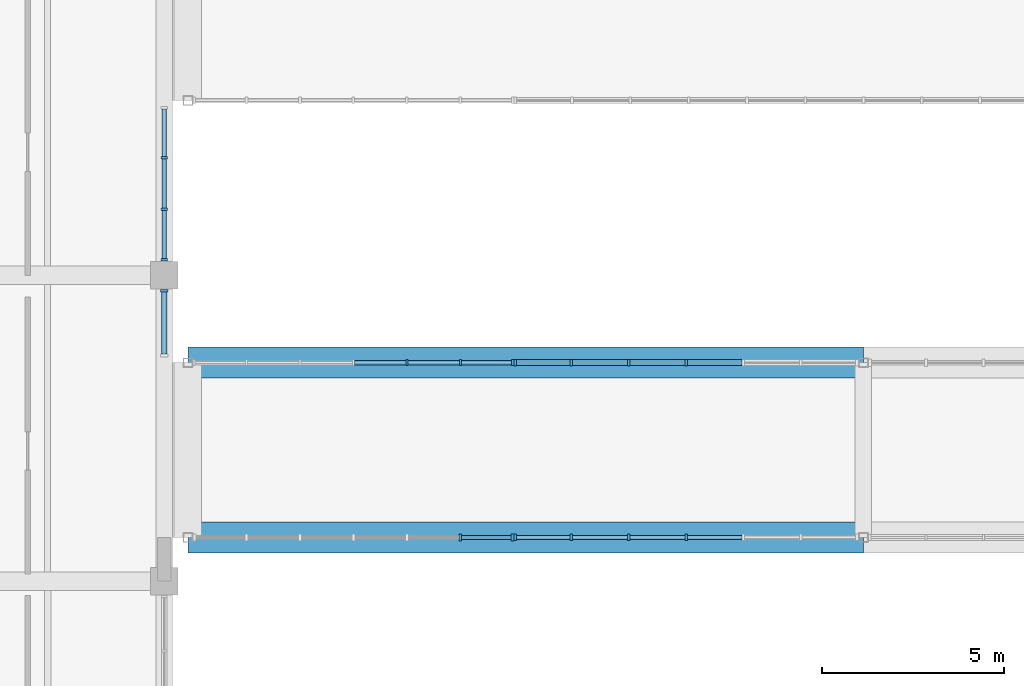
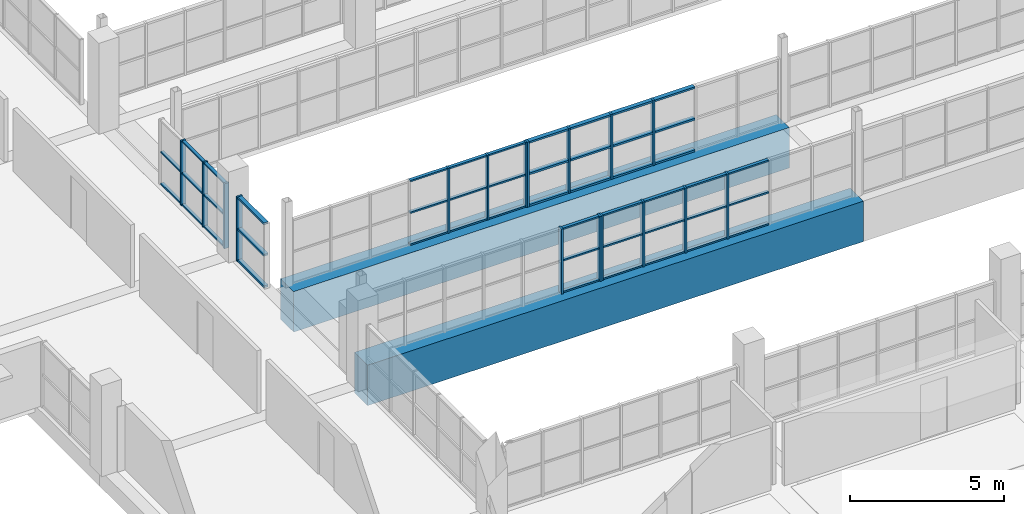
# One storey, part 58 of 147: 64 members, 2 beams, 6 elements without a shape of their own.
"""IFC4 building model written with IfcOpenShell, lengths in metres."""

from ifc_helpers import new_model, si_unit, direction, frame, origin, origin_2d, place, context, subcontext, project, spatial, rectangle, extrude, material, material_profile, profile_set, type_object, element, aggregate, save


model = new_model("IFC4")

# Units and contexts
model_context = context("Model", 3, precision=1e-05, world=origin(), true_north=direction((0.0, 1.0)))
body_context = subcontext(model_context, "Body", "Model", "MODEL_VIEW")
ifc_project = project(units=[si_unit("LENGTHUNIT", "METRE"), si_unit("AREAUNIT", "SQUARE_METRE"), si_unit("VOLUMEUNIT", "CUBIC_METRE"), si_unit("PLANEANGLEUNIT", "RADIAN"), si_unit("MASSUNIT", "GRAM", prefix="KILO")], contexts=[model_context])

# Site, building, storey
site_placement = place(None, origin())
site = spatial("IfcSite", under=ifc_project, at=site_placement, CompositionType="ELEMENT")
building_placement = place(site_placement, origin())
building = spatial("IfcBuilding", under=site, at=building_placement, Name="Oolite Switchyard Hospital", CompositionType="ELEMENT")
storey_placement = place(building_placement, frame((0.0, 0.0, 9.89990234375)))
storey = spatial("IfcBuildingStorey", under=building, at=storey_placement, Name="L02", CompositionType="ELEMENT", Elevation=9.89990234375)

# Beams
ifc_material_1 = material(Name="Concrete C40/50", Category="concrete")
ifc_material_profile_1 = material_profile(ifc_material_1, rectangle(XDim=0.85009765625, YDim=1.60009765625, at=origin_2d()), Name="RCT850X1600")
ifc_profile_set_1 = profile_set([ifc_material_profile_1], Name="Concrete C40/50")
beam_type = type_object("IfcBeamType", Name="BM-TR850X1600", PredefinedType="BEAM", material=ifc_profile_set_1)
for number, where, z_axis, x_axis, name in (
    (1, (144.64990234375, 34.800048828125, -0.7998046875), (1.0, 0.0, 0.0), (0.0, 1.0, 0.0), "L02 X-Girder 1046"),
    (2, (144.64990234375, 39.60009765625, -0.7998046875), (1.0, 0.0, 0.0), (0.0, 1.0, 0.0), "L02 X-Girder 1048"),
):
    element("IfcBeam", number, at=place(storey_placement, frame(where, z_axis=z_axis, x_axis=x_axis)), inside=storey, type_object=beam_type, Name=name, PredefinedType="BEAM", context=body_context, shape_type="SweptSolid", body=[
        extrude(rectangle(XDim=0.85009765625, YDim=1.60009765625, at=origin_2d()), origin(), (0.0, 0.0, 1.0), 18.550048828125),
    ])

# Curtain wall, members
ifc_material_2 = material(Name="Thermally broken aluminum frame with laminated impact glazing", Category="aluminium")
curtain_wall_type = type_object("IfcCurtainWallType", Name="CW-BRG-96X38", PredefinedType="USERDEFINED", material=ifc_material_2)
curtain_wall_1_placement = place(storey_placement, origin())
curtain_wall_1 = element("IfcCurtainWall", 3, at=curtain_wall_1_placement, inside=storey, type_object=curtain_wall_type, Name="L02 Unitised Curtain Wall 232", ObjectType="UNITISED", PredefinedType="USERDEFINED")
ifc_material_3 = material(Name="Aluminium 6063-T6", Category="aluminium")
ifc_material_profile_2 = material_profile(ifc_material_3, rectangle(XDim=0.159912109375, YDim=0.06005859375, at=origin_2d()), Name="CWM60X160")
ifc_profile_set_2 = profile_set([ifc_material_profile_2], Name="Aluminium 6063-T6")
member_type_1 = type_object("IfcMemberType", Name="CW-MUL-180", PredefinedType="MULLION", material=ifc_profile_set_2)
member_1_placement = place(storey_placement, frame((150.6640625, 39.60009765625, 0.0), z_axis=(0.0, 0.0, 1.0), x_axis=(0.0, 1.0, 0.0)))
member_1 = element("IfcMember", 4, at=member_1_placement, type_object=member_type_1, Name="CW-12 mullion 5", PredefinedType="MULLION", context=body_context, shape_type="SweptSolid", body=[
    extrude(rectangle(XDim=0.159912109375, YDim=0.06005859375, at=origin_2d()), origin(), (0.0, 0.0, 1.0), 2.570068359375),
])
member_2_placement = place(storey_placement, frame((152.132080078125, 39.60009765625, 0.0), z_axis=(0.0, 0.0, 1.0), x_axis=(0.0, 1.0, 0.0)))
member_2 = element("IfcMember", 5, at=member_2_placement, type_object=member_type_1, Name="CW-12 mullion 6", PredefinedType="MULLION", context=body_context, shape_type="SweptSolid", body=[
    extrude(rectangle(XDim=0.159912109375, YDim=0.06005859375, at=origin_2d()), origin(), (0.0, 0.0, 1.0), 2.570068359375),
])
member_3_placement = place(storey_placement, frame((153.570068359375, 39.60009765625, 0.0), z_axis=(0.0, 0.0, 1.0), x_axis=(0.0, 1.0, 0.0)))
member_3 = element("IfcMember", 6, at=member_3_placement, type_object=member_type_1, Name="CW-12 mullion 7", PredefinedType="MULLION", context=body_context, shape_type="SweptSolid", body=[
    extrude(rectangle(XDim=0.159912109375, YDim=0.06005859375, at=origin_2d()), origin(), (0.0, 0.0, 1.0), 2.570068359375),
])

curtain_wall_2_placement = place(storey_placement, origin())
curtain_wall_2 = element("IfcCurtainWall", 7, at=curtain_wall_2_placement, inside=storey, type_object=curtain_wall_type, Name="L02 Unitised Curtain Wall 230", ObjectType="UNITISED", PredefinedType="USERDEFINED")
ifc_material_profile_3 = material_profile(ifc_material_3, rectangle(XDim=0.179931640625, YDim=0.070068359375, at=origin_2d()), Name="CWM70X180")
ifc_profile_set_3 = profile_set([ifc_material_profile_3], Name="Aluminium 6063-T6")
member_type_2 = type_object("IfcMemberType", Name="CW-MUL-220", PredefinedType="MULLION", material=ifc_profile_set_3)
member_4_placement = place(storey_placement, frame((158.3291015625, 34.800048828125, 0.0), z_axis=(0.0, 0.0, 1.0), x_axis=(0.0, -1.0, 0.0)))
member_4 = element("IfcMember", 8, at=member_4_placement, type_object=member_type_2, Name="CW-12 mullion 4", PredefinedType="MULLION", context=body_context, shape_type="SweptSolid", body=[
    extrude(rectangle(XDim=0.179931640625, YDim=0.070068359375, at=origin_2d()), origin(), (0.0, 0.0, 1.0), 2.570068359375),
])
member_5_placement = place(storey_placement, frame((156.752685546875, 34.800048828125, 0.0), z_axis=(0.0, 0.0, 1.0), x_axis=(0.0, -1.0, 0.0)))
member_5 = element("IfcMember", 9, at=member_5_placement, type_object=member_type_2, Name="CW-12 mullion 5", PredefinedType="MULLION", context=body_context, shape_type="SweptSolid", body=[
    extrude(rectangle(XDim=0.179931640625, YDim=0.070068359375, at=origin_2d()), origin(), (0.0, 0.0, 1.0), 2.570068359375),
])
member_6_placement = place(storey_placement, frame((155.17626953125, 34.800048828125, 0.0), z_axis=(0.0, 0.0, 1.0), x_axis=(0.0, -1.0, 0.0)))
member_6 = element("IfcMember", 10, at=member_6_placement, type_object=member_type_2, Name="CW-12 mullion 6", PredefinedType="MULLION", context=body_context, shape_type="SweptSolid", body=[
    extrude(rectangle(XDim=0.179931640625, YDim=0.070068359375, at=origin_2d()), origin(), (0.0, 0.0, 1.0), 2.570068359375),
])
member_7_placement = place(storey_placement, frame((153.635009765625, 34.800048828125, 0.0), z_axis=(0.0, 0.0, 1.0), x_axis=(0.0, -1.0, 0.0)))
member_7 = element("IfcMember", 11, at=member_7_placement, type_object=member_type_2, Name="CW-12 mullion 7", PredefinedType="MULLION", context=body_context, shape_type="SweptSolid", body=[
    extrude(rectangle(XDim=0.179931640625, YDim=0.070068359375, at=origin_2d()), origin(), (0.0, 0.0, 1.0), 2.570068359375),
])

curtain_wall_3_placement = place(storey_placement, origin())
curtain_wall_3 = element("IfcCurtainWall", 12, at=curtain_wall_3_placement, inside=storey, type_object=curtain_wall_type, Name="L02 Unitised Curtain Wall 233", ObjectType="UNITISED", PredefinedType="USERDEFINED")
member_8_placement = place(storey_placement, frame((153.635009765625, 39.60009765625, 0.0), z_axis=(0.0, 0.0, 1.0), x_axis=(0.0, 1.0, 0.0)))
member_8 = element("IfcMember", 13, at=member_8_placement, type_object=member_type_2, Name="CW-12 mullion 1", PredefinedType="MULLION", context=body_context, shape_type="SweptSolid", body=[
    extrude(rectangle(XDim=0.179931640625, YDim=0.070068359375, at=origin_2d()), origin(), (0.0, 0.0, 1.0), 2.570068359375),
])
member_9_placement = place(storey_placement, frame((155.17626953125, 39.60009765625, 0.0), z_axis=(0.0, 0.0, 1.0), x_axis=(0.0, 1.0, 0.0)))
member_9 = element("IfcMember", 14, at=member_9_placement, type_object=member_type_2, Name="CW-12 mullion 2", PredefinedType="MULLION", context=body_context, shape_type="SweptSolid", body=[
    extrude(rectangle(XDim=0.179931640625, YDim=0.070068359375, at=origin_2d()), origin(), (0.0, 0.0, 1.0), 2.570068359375),
])
member_10_placement = place(storey_placement, frame((156.752685546875, 39.60009765625, 0.0), z_axis=(0.0, 0.0, 1.0), x_axis=(0.0, 1.0, 0.0)))
member_10 = element("IfcMember", 15, at=member_10_placement, type_object=member_type_2, Name="CW-12 mullion 3", PredefinedType="MULLION", context=body_context, shape_type="SweptSolid", body=[
    extrude(rectangle(XDim=0.179931640625, YDim=0.070068359375, at=origin_2d()), origin(), (0.0, 0.0, 1.0), 2.570068359375),
])
member_11_placement = place(storey_placement, frame((158.3291015625, 39.60009765625, 0.0), z_axis=(0.0, 0.0, 1.0), x_axis=(0.0, 1.0, 0.0)))
member_11 = element("IfcMember", 16, at=member_11_placement, type_object=member_type_2, Name="CW-12 mullion 4", PredefinedType="MULLION", context=body_context, shape_type="SweptSolid", body=[
    extrude(rectangle(XDim=0.179931640625, YDim=0.070068359375, at=origin_2d()), origin(), (0.0, 0.0, 1.0), 2.570068359375),
])

curtain_wall_4_placement = place(storey_placement, origin())
curtain_wall_4 = element("IfcCurtainWall", 17, at=curtain_wall_4_placement, inside=storey, type_object=curtain_wall_type, Name="L02 Unitised Curtain Wall 302", ObjectType="UNITISED", PredefinedType="USERDEFINED")
member_12_placement = place(storey_placement, frame((144.0, 45.223388671875, 0.0), z_axis=(0.0, 0.0, 1.0), x_axis=(1.0, 0.0, 0.0)))
member_12 = element("IfcMember", 18, at=member_12_placement, type_object=member_type_2, Name="CW-12 mullion 2", PredefinedType="MULLION", context=body_context, shape_type="SweptSolid", body=[
    extrude(rectangle(XDim=0.179931640625, YDim=0.070068359375, at=origin_2d()), origin(), (0.0, 0.0, 1.0), 2.570068359375),
])
member_13_placement = place(storey_placement, frame((144.0, 43.806640625, 0.0), z_axis=(0.0, 0.0, 1.0), x_axis=(1.0, 0.0, 0.0)))
member_13 = element("IfcMember", 19, at=member_13_placement, type_object=member_type_2, Name="CW-12 mullion 3", PredefinedType="MULLION", context=body_context, shape_type="SweptSolid", body=[
    extrude(rectangle(XDim=0.179931640625, YDim=0.070068359375, at=origin_2d()), origin(), (0.0, 0.0, 1.0), 2.570068359375),
])
member_14_placement = place(storey_placement, frame((144.0, 42.425048828125, 0.0), z_axis=(0.0, 0.0, 1.0), x_axis=(1.0, 0.0, 0.0)))
member_14 = element("IfcMember", 20, at=member_14_placement, type_object=member_type_2, Name="CW-12 mullion 4", PredefinedType="MULLION", context=body_context, shape_type="SweptSolid", body=[
    extrude(rectangle(XDim=0.179931640625, YDim=0.070068359375, at=origin_2d()), origin(), (0.0, 0.0, 1.0), 2.570068359375),
])

curtain_wall_5_placement = place(storey_placement, origin())
curtain_wall_5 = element("IfcCurtainWall", 21, at=curtain_wall_5_placement, inside=storey, type_object=curtain_wall_type, Name="L02 Unitised Curtain Wall 228", ObjectType="UNITISED", PredefinedType="USERDEFINED")
ifc_material_profile_4 = material_profile(ifc_material_3, rectangle(XDim=0.199951171875, YDim=0.074951171875, at=origin_2d()), Name="CWM75X200")
ifc_profile_set_4 = profile_set([ifc_material_profile_4], Name="Aluminium 6063-T6")
member_type_3 = type_object("IfcMemberType", Name="CW-MUL-260", PredefinedType="MULLION", material=ifc_profile_set_4)
member_15_placement = place(storey_placement, frame((153.5625, 34.800048828125, 0.0), z_axis=(0.0, 0.0, 1.0), x_axis=(0.0, -1.0, 0.0)))
member_15 = element("IfcMember", 22, at=member_15_placement, type_object=member_type_3, Name="CW-12 mullion 1", PredefinedType="MULLION", context=body_context, shape_type="SweptSolid", body=[
    extrude(rectangle(XDim=0.199951171875, YDim=0.074951171875, at=origin_2d()), origin(), (0.0, 0.0, 1.0), 2.570068359375),
])
member_16_placement = place(storey_placement, frame((152.132080078125, 34.800048828125, 0.0), z_axis=(0.0, 0.0, 1.0), x_axis=(0.0, -1.0, 0.0)))
member_16 = element("IfcMember", 23, at=member_16_placement, type_object=member_type_3, Name="CW-12 mullion 2", PredefinedType="MULLION", context=body_context, shape_type="SweptSolid", body=[
    extrude(rectangle(XDim=0.199951171875, YDim=0.074951171875, at=origin_2d()), origin(), (0.0, 0.0, 1.0), 2.570068359375),
])

# Curtain wall, member
curtain_wall_6_placement = place(storey_placement, origin())
curtain_wall_6 = element("IfcCurtainWall", 24, at=curtain_wall_6_placement, inside=storey, type_object=curtain_wall_type, Name="L02 Unitised Curtain Wall 303", ObjectType="UNITISED", PredefinedType="USERDEFINED")
member_17_placement = place(storey_placement, frame((144.0, 41.572509765625, 0.0), z_axis=(0.0, 0.0, 1.0), x_axis=(1.0, 0.0, 0.0)))
member_17 = element("IfcMember", 25, at=member_17_placement, type_object=member_type_3, Name="CW-12 mullion 1", PredefinedType="MULLION", context=body_context, shape_type="SweptSolid", body=[
    extrude(rectangle(XDim=0.199951171875, YDim=0.074951171875, at=origin_2d()), origin(), (0.0, 0.0, 1.0), 2.570068359375),
])

# Member
ifc_material_profile_5 = material_profile(ifc_material_3, rectangle(XDim=0.1201171875, YDim=0.06005859375, at=origin_2d()), Name="CWT60X120")
ifc_profile_set_5 = profile_set([ifc_material_profile_5], Name="Aluminium 6063-T6")
member_type_4 = type_object("IfcMemberType", Name="CW-TRN-150", PredefinedType="USERDEFINED", material=ifc_profile_set_5)
member_18_placement = place(storey_placement, frame((153.52490234375, 34.800048828125, 0.030029296875), z_axis=(-1.0, 0.0, 0.0), x_axis=(0.0, -1.0, 0.0)))
member_18 = element("IfcMember", 26, at=member_18_placement, type_object=member_type_4, Name="CW-12 transom 1.1", ObjectType="TRANSOM", PredefinedType="USERDEFINED", context=body_context, shape_type="SweptSolid", body=[
    extrude(rectangle(XDim=0.1201171875, YDim=0.06005859375, at=origin_2d()), origin(), (0.0, 0.0, 1.0), 1.35546875),
])

member_19_placement = place(storey_placement, frame((153.52490234375, 34.800048828125, 1.28515625), z_axis=(-1.0, 0.0, 0.0), x_axis=(0.0, -1.0, 0.0)))
member_19 = element("IfcMember", 27, at=member_19_placement, type_object=member_type_4, Name="CW-12 transom 1.2", ObjectType="TRANSOM", PredefinedType="USERDEFINED", context=body_context, shape_type="SweptSolid", body=[
    extrude(rectangle(XDim=0.1201171875, YDim=0.06005859375, at=origin_2d()), origin(), (0.0, 0.0, 1.0), 1.35546875),
])

member_20_placement = place(storey_placement, frame((153.52490234375, 34.800048828125, 2.5400390625), z_axis=(-1.0, 0.0, 0.0), x_axis=(0.0, -1.0, 0.0)))
member_20 = element("IfcMember", 28, at=member_20_placement, type_object=member_type_4, Name="CW-12 transom 1.3", ObjectType="TRANSOM", PredefinedType="USERDEFINED", context=body_context, shape_type="SweptSolid", body=[
    extrude(rectangle(XDim=0.1201171875, YDim=0.06005859375, at=origin_2d()), origin(), (0.0, 0.0, 1.0), 1.35546875),
])

aggregate(curtain_wall_5, [member_15, member_16, member_18, member_19, member_20])

member_21_placement = place(storey_placement, frame((159.870361328125, 34.800048828125, 0.030029296875), z_axis=(-1.0, 0.0, 0.0), x_axis=(0.0, -1.0, 0.0)))
member_21 = element("IfcMember", 29, at=member_21_placement, type_object=member_type_4, Name="CW-12 transom 3.1", ObjectType="TRANSOM", PredefinedType="USERDEFINED", context=body_context, shape_type="SweptSolid", body=[
    extrude(rectangle(XDim=0.1201171875, YDim=0.06005859375, at=origin_2d()), origin(), (0.0, 0.0, 1.0), 1.50634765625),
])

member_22_placement = place(storey_placement, frame((159.870361328125, 34.800048828125, 1.28515625), z_axis=(-1.0, 0.0, 0.0), x_axis=(0.0, -1.0, 0.0)))
member_22 = element("IfcMember", 30, at=member_22_placement, type_object=member_type_4, Name="CW-12 transom 3.2", ObjectType="TRANSOM", PredefinedType="USERDEFINED", context=body_context, shape_type="SweptSolid", body=[
    extrude(rectangle(XDim=0.1201171875, YDim=0.06005859375, at=origin_2d()), origin(), (0.0, 0.0, 1.0), 1.50634765625),
])

member_23_placement = place(storey_placement, frame((159.870361328125, 34.800048828125, 2.5400390625), z_axis=(-1.0, 0.0, 0.0), x_axis=(0.0, -1.0, 0.0)))
member_23 = element("IfcMember", 31, at=member_23_placement, type_object=member_type_4, Name="CW-12 transom 3.3", ObjectType="TRANSOM", PredefinedType="USERDEFINED", context=body_context, shape_type="SweptSolid", body=[
    extrude(rectangle(XDim=0.1201171875, YDim=0.06005859375, at=origin_2d()), origin(), (0.0, 0.0, 1.0), 1.50634765625),
])

member_24_placement = place(storey_placement, frame((158.2939453125, 34.800048828125, 0.030029296875), z_axis=(-1.0, 0.0, 0.0), x_axis=(0.0, -1.0, 0.0)))
member_24 = element("IfcMember", 32, at=member_24_placement, type_object=member_type_4, Name="CW-12 transom 4.1", ObjectType="TRANSOM", PredefinedType="USERDEFINED", context=body_context, shape_type="SweptSolid", body=[
    extrude(rectangle(XDim=0.1201171875, YDim=0.06005859375, at=origin_2d()), origin(), (0.0, 0.0, 1.0), 1.50634765625),
])

member_25_placement = place(storey_placement, frame((158.2939453125, 34.800048828125, 1.28515625), z_axis=(-1.0, 0.0, 0.0), x_axis=(0.0, -1.0, 0.0)))
member_25 = element("IfcMember", 33, at=member_25_placement, type_object=member_type_4, Name="CW-12 transom 4.2", ObjectType="TRANSOM", PredefinedType="USERDEFINED", context=body_context, shape_type="SweptSolid", body=[
    extrude(rectangle(XDim=0.1201171875, YDim=0.06005859375, at=origin_2d()), origin(), (0.0, 0.0, 1.0), 1.50634765625),
])

member_26_placement = place(storey_placement, frame((158.2939453125, 34.800048828125, 2.5400390625), z_axis=(-1.0, 0.0, 0.0), x_axis=(0.0, -1.0, 0.0)))
member_26 = element("IfcMember", 34, at=member_26_placement, type_object=member_type_4, Name="CW-12 transom 4.3", ObjectType="TRANSOM", PredefinedType="USERDEFINED", context=body_context, shape_type="SweptSolid", body=[
    extrude(rectangle(XDim=0.1201171875, YDim=0.06005859375, at=origin_2d()), origin(), (0.0, 0.0, 1.0), 1.50634765625),
])

member_27_placement = place(storey_placement, frame((156.7177734375, 34.800048828125, 0.030029296875), z_axis=(-1.0, 0.0, 0.0), x_axis=(0.0, -1.0, 0.0)))
member_27 = element("IfcMember", 35, at=member_27_placement, type_object=member_type_4, Name="CW-12 transom 5.1", ObjectType="TRANSOM", PredefinedType="USERDEFINED", context=body_context, shape_type="SweptSolid", body=[
    extrude(rectangle(XDim=0.1201171875, YDim=0.06005859375, at=origin_2d()), origin(), (0.0, 0.0, 1.0), 1.50634765625),
])

member_28_placement = place(storey_placement, frame((156.7177734375, 34.800048828125, 1.28515625), z_axis=(-1.0, 0.0, 0.0), x_axis=(0.0, -1.0, 0.0)))
member_28 = element("IfcMember", 36, at=member_28_placement, type_object=member_type_4, Name="CW-12 transom 5.2", ObjectType="TRANSOM", PredefinedType="USERDEFINED", context=body_context, shape_type="SweptSolid", body=[
    extrude(rectangle(XDim=0.1201171875, YDim=0.06005859375, at=origin_2d()), origin(), (0.0, 0.0, 1.0), 1.50634765625),
])

member_29_placement = place(storey_placement, frame((156.7177734375, 34.800048828125, 2.5400390625), z_axis=(-1.0, 0.0, 0.0), x_axis=(0.0, -1.0, 0.0)))
member_29 = element("IfcMember", 37, at=member_29_placement, type_object=member_type_4, Name="CW-12 transom 5.3", ObjectType="TRANSOM", PredefinedType="USERDEFINED", context=body_context, shape_type="SweptSolid", body=[
    extrude(rectangle(XDim=0.1201171875, YDim=0.06005859375, at=origin_2d()), origin(), (0.0, 0.0, 1.0), 1.50634765625),
])

member_30_placement = place(storey_placement, frame((155.141357421875, 34.800048828125, 0.030029296875), z_axis=(-1.0, 0.0, 0.0), x_axis=(0.0, -1.0, 0.0)))
member_30 = element("IfcMember", 38, at=member_30_placement, type_object=member_type_4, Name="CW-12 transom 6.1", ObjectType="TRANSOM", PredefinedType="USERDEFINED", context=body_context, shape_type="SweptSolid", body=[
    extrude(rectangle(XDim=0.1201171875, YDim=0.06005859375, at=origin_2d()), origin(), (0.0, 0.0, 1.0), 1.471435546875),
])

member_31_placement = place(storey_placement, frame((155.141357421875, 34.800048828125, 1.28515625), z_axis=(-1.0, 0.0, 0.0), x_axis=(0.0, -1.0, 0.0)))
member_31 = element("IfcMember", 39, at=member_31_placement, type_object=member_type_4, Name="CW-12 transom 6.2", ObjectType="TRANSOM", PredefinedType="USERDEFINED", context=body_context, shape_type="SweptSolid", body=[
    extrude(rectangle(XDim=0.1201171875, YDim=0.06005859375, at=origin_2d()), origin(), (0.0, 0.0, 1.0), 1.471435546875),
])

member_32_placement = place(storey_placement, frame((155.141357421875, 34.800048828125, 2.5400390625), z_axis=(-1.0, 0.0, 0.0), x_axis=(0.0, -1.0, 0.0)))
member_32 = element("IfcMember", 40, at=member_32_placement, type_object=member_type_4, Name="CW-12 transom 6.3", ObjectType="TRANSOM", PredefinedType="USERDEFINED", context=body_context, shape_type="SweptSolid", body=[
    extrude(rectangle(XDim=0.1201171875, YDim=0.06005859375, at=origin_2d()), origin(), (0.0, 0.0, 1.0), 1.471435546875),
])

aggregate(curtain_wall_2, [member_4, member_5, member_6, member_7, member_21, member_22, member_23, member_24, member_25, member_26, member_27, member_28, member_29, member_30, member_31, member_32])

member_33_placement = place(storey_placement, frame((149.22607421875, 39.60009765625, 0.030029296875), z_axis=(1.0, 0.0, 0.0), x_axis=(0.0, 1.0, 0.0)))
member_33 = element("IfcMember", 41, at=member_33_placement, type_object=member_type_4, Name="CW-12 transom 4.1", ObjectType="TRANSOM", PredefinedType="USERDEFINED", context=body_context, shape_type="SweptSolid", body=[
    extrude(rectangle(XDim=0.1201171875, YDim=0.06005859375, at=origin_2d()), origin(), (0.0, 0.0, 1.0), 1.407958984375),
])

member_34_placement = place(storey_placement, frame((149.22607421875, 39.60009765625, 1.28515625), z_axis=(1.0, 0.0, 0.0), x_axis=(0.0, 1.0, 0.0)))
member_34 = element("IfcMember", 42, at=member_34_placement, type_object=member_type_4, Name="CW-12 transom 4.2", ObjectType="TRANSOM", PredefinedType="USERDEFINED", context=body_context, shape_type="SweptSolid", body=[
    extrude(rectangle(XDim=0.1201171875, YDim=0.06005859375, at=origin_2d()), origin(), (0.0, 0.0, 1.0), 1.407958984375),
])

member_35_placement = place(storey_placement, frame((149.22607421875, 39.60009765625, 2.5400390625), z_axis=(1.0, 0.0, 0.0), x_axis=(0.0, 1.0, 0.0)))
member_35 = element("IfcMember", 43, at=member_35_placement, type_object=member_type_4, Name="CW-12 transom 4.3", ObjectType="TRANSOM", PredefinedType="USERDEFINED", context=body_context, shape_type="SweptSolid", body=[
    extrude(rectangle(XDim=0.1201171875, YDim=0.06005859375, at=origin_2d()), origin(), (0.0, 0.0, 1.0), 1.407958984375),
])

member_36_placement = place(storey_placement, frame((150.694091796875, 39.60009765625, 0.030029296875), z_axis=(1.0, 0.0, 0.0), x_axis=(0.0, 1.0, 0.0)))
member_36 = element("IfcMember", 44, at=member_36_placement, type_object=member_type_4, Name="CW-12 transom 5.1", ObjectType="TRANSOM", PredefinedType="USERDEFINED", context=body_context, shape_type="SweptSolid", body=[
    extrude(rectangle(XDim=0.1201171875, YDim=0.06005859375, at=origin_2d()), origin(), (0.0, 0.0, 1.0), 1.407958984375),
])

member_37_placement = place(storey_placement, frame((150.694091796875, 39.60009765625, 1.28515625), z_axis=(1.0, 0.0, 0.0), x_axis=(0.0, 1.0, 0.0)))
member_37 = element("IfcMember", 45, at=member_37_placement, type_object=member_type_4, Name="CW-12 transom 5.2", ObjectType="TRANSOM", PredefinedType="USERDEFINED", context=body_context, shape_type="SweptSolid", body=[
    extrude(rectangle(XDim=0.1201171875, YDim=0.06005859375, at=origin_2d()), origin(), (0.0, 0.0, 1.0), 1.407958984375),
])

member_38_placement = place(storey_placement, frame((150.694091796875, 39.60009765625, 2.5400390625), z_axis=(1.0, 0.0, 0.0), x_axis=(0.0, 1.0, 0.0)))
member_38 = element("IfcMember", 46, at=member_38_placement, type_object=member_type_4, Name="CW-12 transom 5.3", ObjectType="TRANSOM", PredefinedType="USERDEFINED", context=body_context, shape_type="SweptSolid", body=[
    extrude(rectangle(XDim=0.1201171875, YDim=0.06005859375, at=origin_2d()), origin(), (0.0, 0.0, 1.0), 1.407958984375),
])

member_39_placement = place(storey_placement, frame((152.162109375, 39.60009765625, 0.030029296875), z_axis=(1.0, 0.0, 0.0), x_axis=(0.0, 1.0, 0.0)))
member_39 = element("IfcMember", 47, at=member_39_placement, type_object=member_type_4, Name="CW-12 transom 6.1", ObjectType="TRANSOM", PredefinedType="USERDEFINED", context=body_context, shape_type="SweptSolid", body=[
    extrude(rectangle(XDim=0.1201171875, YDim=0.06005859375, at=origin_2d()), origin(), (0.0, 0.0, 1.0), 1.3779296875),
])

member_40_placement = place(storey_placement, frame((152.162109375, 39.60009765625, 1.28515625), z_axis=(1.0, 0.0, 0.0), x_axis=(0.0, 1.0, 0.0)))
member_40 = element("IfcMember", 48, at=member_40_placement, type_object=member_type_4, Name="CW-12 transom 6.2", ObjectType="TRANSOM", PredefinedType="USERDEFINED", context=body_context, shape_type="SweptSolid", body=[
    extrude(rectangle(XDim=0.1201171875, YDim=0.06005859375, at=origin_2d()), origin(), (0.0, 0.0, 1.0), 1.3779296875),
])

member_41_placement = place(storey_placement, frame((152.162109375, 39.60009765625, 2.5400390625), z_axis=(1.0, 0.0, 0.0), x_axis=(0.0, 1.0, 0.0)))
member_41 = element("IfcMember", 49, at=member_41_placement, type_object=member_type_4, Name="CW-12 transom 6.3", ObjectType="TRANSOM", PredefinedType="USERDEFINED", context=body_context, shape_type="SweptSolid", body=[
    extrude(rectangle(XDim=0.1201171875, YDim=0.06005859375, at=origin_2d()), origin(), (0.0, 0.0, 1.0), 1.3779296875),
])

aggregate(curtain_wall_1, [member_1, member_2, member_3, member_33, member_34, member_35, member_36, member_37, member_38, member_39, member_40, member_41])

member_42_placement = place(storey_placement, frame((144.0, 46.570068359375, 0.030029296875), z_axis=(0.0, -1.0, 0.0), x_axis=(1.0, 0.0, 0.0)))
member_42 = element("IfcMember", 50, at=member_42_placement, type_object=member_type_4, Name="CW-12 transom 1.1", ObjectType="TRANSOM", PredefinedType="USERDEFINED", context=body_context, shape_type="SweptSolid", body=[
    extrude(rectangle(XDim=0.1201171875, YDim=0.06005859375, at=origin_2d()), origin(), (0.0, 0.0, 1.0), 1.311767578125),
])

member_43_placement = place(storey_placement, frame((144.0, 46.570068359375, 1.28515625), z_axis=(0.0, -1.0, 0.0), x_axis=(1.0, 0.0, 0.0)))
member_43 = element("IfcMember", 51, at=member_43_placement, type_object=member_type_4, Name="CW-12 transom 1.2", ObjectType="TRANSOM", PredefinedType="USERDEFINED", context=body_context, shape_type="SweptSolid", body=[
    extrude(rectangle(XDim=0.1201171875, YDim=0.06005859375, at=origin_2d()), origin(), (0.0, 0.0, 1.0), 1.311767578125),
])

member_44_placement = place(storey_placement, frame((144.0, 45.188232421875, 0.030029296875), z_axis=(0.0, -1.0, 0.0), x_axis=(1.0, 0.0, 0.0)))
member_44 = element("IfcMember", 52, at=member_44_placement, type_object=member_type_4, Name="CW-12 transom 2.1", ObjectType="TRANSOM", PredefinedType="USERDEFINED", context=body_context, shape_type="SweptSolid", body=[
    extrude(rectangle(XDim=0.1201171875, YDim=0.06005859375, at=origin_2d()), origin(), (0.0, 0.0, 1.0), 1.3466796875),
])

member_45_placement = place(storey_placement, frame((144.0, 45.188232421875, 1.28515625), z_axis=(0.0, -1.0, 0.0), x_axis=(1.0, 0.0, 0.0)))
member_45 = element("IfcMember", 53, at=member_45_placement, type_object=member_type_4, Name="CW-12 transom 2.2", ObjectType="TRANSOM", PredefinedType="USERDEFINED", context=body_context, shape_type="SweptSolid", body=[
    extrude(rectangle(XDim=0.1201171875, YDim=0.06005859375, at=origin_2d()), origin(), (0.0, 0.0, 1.0), 1.3466796875),
])

member_46_placement = place(storey_placement, frame((144.0, 45.188232421875, 2.5400390625), z_axis=(0.0, -1.0, 0.0), x_axis=(1.0, 0.0, 0.0)))
member_46 = element("IfcMember", 54, at=member_46_placement, type_object=member_type_4, Name="CW-12 transom 2.3", ObjectType="TRANSOM", PredefinedType="USERDEFINED", context=body_context, shape_type="SweptSolid", body=[
    extrude(rectangle(XDim=0.1201171875, YDim=0.06005859375, at=origin_2d()), origin(), (0.0, 0.0, 1.0), 1.3466796875),
])

member_47_placement = place(storey_placement, frame((144.0, 43.771728515625, 0.030029296875), z_axis=(0.0, -1.0, 0.0), x_axis=(1.0, 0.0, 0.0)))
member_47 = element("IfcMember", 55, at=member_47_placement, type_object=member_type_4, Name="CW-12 transom 3.1", ObjectType="TRANSOM", PredefinedType="USERDEFINED", context=body_context, shape_type="SweptSolid", body=[
    extrude(rectangle(XDim=0.1201171875, YDim=0.06005859375, at=origin_2d()), origin(), (0.0, 0.0, 1.0), 1.311767578125),
])

member_48_placement = place(storey_placement, frame((144.0, 43.771728515625, 1.28515625), z_axis=(0.0, -1.0, 0.0), x_axis=(1.0, 0.0, 0.0)))
member_48 = element("IfcMember", 56, at=member_48_placement, type_object=member_type_4, Name="CW-12 transom 3.2", ObjectType="TRANSOM", PredefinedType="USERDEFINED", context=body_context, shape_type="SweptSolid", body=[
    extrude(rectangle(XDim=0.1201171875, YDim=0.06005859375, at=origin_2d()), origin(), (0.0, 0.0, 1.0), 1.311767578125),
])

member_49_placement = place(storey_placement, frame((144.0, 43.771728515625, 2.5400390625), z_axis=(0.0, -1.0, 0.0), x_axis=(1.0, 0.0, 0.0)))
member_49 = element("IfcMember", 57, at=member_49_placement, type_object=member_type_4, Name="CW-12 transom 3.3", ObjectType="TRANSOM", PredefinedType="USERDEFINED", context=body_context, shape_type="SweptSolid", body=[
    extrude(rectangle(XDim=0.1201171875, YDim=0.06005859375, at=origin_2d()), origin(), (0.0, 0.0, 1.0), 1.311767578125),
])

aggregate(curtain_wall_4, [member_12, member_13, member_14, member_42, member_43, member_44, member_45, member_46, member_47, member_48, member_49])

ifc_material_profile_6 = material_profile(ifc_material_3, rectangle(XDim=0.159912109375, YDim=0.074951171875, at=origin_2d()), Name="CWT75X160")
ifc_profile_set_6 = profile_set([ifc_material_profile_6], Name="Aluminium 6063-T6")
member_type_5 = type_object("IfcMemberType", Name="CW-TRN-180", PredefinedType="USERDEFINED", material=ifc_profile_set_6)
member_50_placement = place(storey_placement, frame((153.669921875, 39.60009765625, 0.03759765625), z_axis=(1.0, 0.0, 0.0), x_axis=(0.0, 1.0, 0.0)))
member_50 = element("IfcMember", 58, at=member_50_placement, type_object=member_type_5, Name="CW-12 transom 1.1", ObjectType="TRANSOM", PredefinedType="USERDEFINED", context=body_context, shape_type="SweptSolid", body=[
    extrude(rectangle(XDim=0.159912109375, YDim=0.074951171875, at=origin_2d()), origin(), (0.0, 0.0, 1.0), 1.471435546875),
])

member_51_placement = place(storey_placement, frame((153.669921875, 39.60009765625, 1.28515625), z_axis=(1.0, 0.0, 0.0), x_axis=(0.0, 1.0, 0.0)))
member_51 = element("IfcMember", 59, at=member_51_placement, type_object=member_type_5, Name="CW-12 transom 1.2", ObjectType="TRANSOM", PredefinedType="USERDEFINED", context=body_context, shape_type="SweptSolid", body=[
    extrude(rectangle(XDim=0.159912109375, YDim=0.074951171875, at=origin_2d()), origin(), (0.0, 0.0, 1.0), 1.471435546875),
])

member_52_placement = place(storey_placement, frame((153.669921875, 39.60009765625, 2.53271484375), z_axis=(1.0, 0.0, 0.0), x_axis=(0.0, 1.0, 0.0)))
member_52 = element("IfcMember", 60, at=member_52_placement, type_object=member_type_5, Name="CW-12 transom 1.3", ObjectType="TRANSOM", PredefinedType="USERDEFINED", context=body_context, shape_type="SweptSolid", body=[
    extrude(rectangle(XDim=0.159912109375, YDim=0.074951171875, at=origin_2d()), origin(), (0.0, 0.0, 1.0), 1.471435546875),
])

member_53_placement = place(storey_placement, frame((155.21142578125, 39.60009765625, 0.03759765625), z_axis=(1.0, 0.0, 0.0), x_axis=(0.0, 1.0, 0.0)))
member_53 = element("IfcMember", 61, at=member_53_placement, type_object=member_type_5, Name="CW-12 transom 2.1", ObjectType="TRANSOM", PredefinedType="USERDEFINED", context=body_context, shape_type="SweptSolid", body=[
    extrude(rectangle(XDim=0.159912109375, YDim=0.074951171875, at=origin_2d()), origin(), (0.0, 0.0, 1.0), 1.50634765625),
])

member_54_placement = place(storey_placement, frame((155.21142578125, 39.60009765625, 1.28515625), z_axis=(1.0, 0.0, 0.0), x_axis=(0.0, 1.0, 0.0)))
member_54 = element("IfcMember", 62, at=member_54_placement, type_object=member_type_5, Name="CW-12 transom 2.2", ObjectType="TRANSOM", PredefinedType="USERDEFINED", context=body_context, shape_type="SweptSolid", body=[
    extrude(rectangle(XDim=0.159912109375, YDim=0.074951171875, at=origin_2d()), origin(), (0.0, 0.0, 1.0), 1.50634765625),
])

member_55_placement = place(storey_placement, frame((155.21142578125, 39.60009765625, 2.53271484375), z_axis=(1.0, 0.0, 0.0), x_axis=(0.0, 1.0, 0.0)))
member_55 = element("IfcMember", 63, at=member_55_placement, type_object=member_type_5, Name="CW-12 transom 2.3", ObjectType="TRANSOM", PredefinedType="USERDEFINED", context=body_context, shape_type="SweptSolid", body=[
    extrude(rectangle(XDim=0.159912109375, YDim=0.074951171875, at=origin_2d()), origin(), (0.0, 0.0, 1.0), 1.50634765625),
])

member_56_placement = place(storey_placement, frame((156.78759765625, 39.60009765625, 0.03759765625), z_axis=(1.0, 0.0, 0.0), x_axis=(0.0, 1.0, 0.0)))
member_56 = element("IfcMember", 64, at=member_56_placement, type_object=member_type_5, Name="CW-12 transom 3.1", ObjectType="TRANSOM", PredefinedType="USERDEFINED", context=body_context, shape_type="SweptSolid", body=[
    extrude(rectangle(XDim=0.159912109375, YDim=0.074951171875, at=origin_2d()), origin(), (0.0, 0.0, 1.0), 1.50634765625),
])

member_57_placement = place(storey_placement, frame((156.78759765625, 39.60009765625, 1.28515625), z_axis=(1.0, 0.0, 0.0), x_axis=(0.0, 1.0, 0.0)))
member_57 = element("IfcMember", 65, at=member_57_placement, type_object=member_type_5, Name="CW-12 transom 3.2", ObjectType="TRANSOM", PredefinedType="USERDEFINED", context=body_context, shape_type="SweptSolid", body=[
    extrude(rectangle(XDim=0.159912109375, YDim=0.074951171875, at=origin_2d()), origin(), (0.0, 0.0, 1.0), 1.50634765625),
])

member_58_placement = place(storey_placement, frame((156.78759765625, 39.60009765625, 2.53271484375), z_axis=(1.0, 0.0, 0.0), x_axis=(0.0, 1.0, 0.0)))
member_58 = element("IfcMember", 66, at=member_58_placement, type_object=member_type_5, Name="CW-12 transom 3.3", ObjectType="TRANSOM", PredefinedType="USERDEFINED", context=body_context, shape_type="SweptSolid", body=[
    extrude(rectangle(XDim=0.159912109375, YDim=0.074951171875, at=origin_2d()), origin(), (0.0, 0.0, 1.0), 1.50634765625),
])

member_59_placement = place(storey_placement, frame((158.364013671875, 39.60009765625, 0.03759765625), z_axis=(1.0, 0.0, 0.0), x_axis=(0.0, 1.0, 0.0)))
member_59 = element("IfcMember", 67, at=member_59_placement, type_object=member_type_5, Name="CW-12 transom 4.1", ObjectType="TRANSOM", PredefinedType="USERDEFINED", context=body_context, shape_type="SweptSolid", body=[
    extrude(rectangle(XDim=0.159912109375, YDim=0.074951171875, at=origin_2d()), origin(), (0.0, 0.0, 1.0), 1.50634765625),
])

member_60_placement = place(storey_placement, frame((158.364013671875, 39.60009765625, 1.28515625), z_axis=(1.0, 0.0, 0.0), x_axis=(0.0, 1.0, 0.0)))
member_60 = element("IfcMember", 68, at=member_60_placement, type_object=member_type_5, Name="CW-12 transom 4.2", ObjectType="TRANSOM", PredefinedType="USERDEFINED", context=body_context, shape_type="SweptSolid", body=[
    extrude(rectangle(XDim=0.159912109375, YDim=0.074951171875, at=origin_2d()), origin(), (0.0, 0.0, 1.0), 1.50634765625),
])

member_61_placement = place(storey_placement, frame((158.364013671875, 39.60009765625, 2.53271484375), z_axis=(1.0, 0.0, 0.0), x_axis=(0.0, 1.0, 0.0)))
member_61 = element("IfcMember", 69, at=member_61_placement, type_object=member_type_5, Name="CW-12 transom 4.3", ObjectType="TRANSOM", PredefinedType="USERDEFINED", context=body_context, shape_type="SweptSolid", body=[
    extrude(rectangle(XDim=0.159912109375, YDim=0.074951171875, at=origin_2d()), origin(), (0.0, 0.0, 1.0), 1.50634765625),
])

aggregate(curtain_wall_3, [member_8, member_9, member_10, member_11, member_50, member_51, member_52, member_53, member_54, member_55, member_56, member_57, member_58, member_59, member_60, member_61])

member_62_placement = place(storey_placement, frame((144.0, 41.534912109375, 0.03759765625), z_axis=(0.0, -1.0, 0.0), x_axis=(1.0, 0.0, 0.0)))
member_62 = element("IfcMember", 70, at=member_62_placement, type_object=member_type_5, Name="CW-12 transom 1.1", ObjectType="TRANSOM", PredefinedType="USERDEFINED", context=body_context, shape_type="SweptSolid", body=[
    extrude(rectangle(XDim=0.159912109375, YDim=0.074951171875, at=origin_2d()), origin(), (0.0, 0.0, 1.0), 1.699951171875),
])

member_63_placement = place(storey_placement, frame((144.0, 41.534912109375, 1.28515625), z_axis=(0.0, -1.0, 0.0), x_axis=(1.0, 0.0, 0.0)))
member_63 = element("IfcMember", 71, at=member_63_placement, type_object=member_type_5, Name="CW-12 transom 1.2", ObjectType="TRANSOM", PredefinedType="USERDEFINED", context=body_context, shape_type="SweptSolid", body=[
    extrude(rectangle(XDim=0.159912109375, YDim=0.074951171875, at=origin_2d()), origin(), (0.0, 0.0, 1.0), 1.699951171875),
])

member_64_placement = place(storey_placement, frame((144.0, 41.534912109375, 2.53271484375), z_axis=(0.0, -1.0, 0.0), x_axis=(1.0, 0.0, 0.0)))
member_64 = element("IfcMember", 72, at=member_64_placement, type_object=member_type_5, Name="CW-12 transom 1.3", ObjectType="TRANSOM", PredefinedType="USERDEFINED", context=body_context, shape_type="SweptSolid", body=[
    extrude(rectangle(XDim=0.159912109375, YDim=0.074951171875, at=origin_2d()), origin(), (0.0, 0.0, 1.0), 1.699951171875),
])

aggregate(curtain_wall_6, [member_17, member_62, member_63, member_64])

save(model, "model.ifc")
